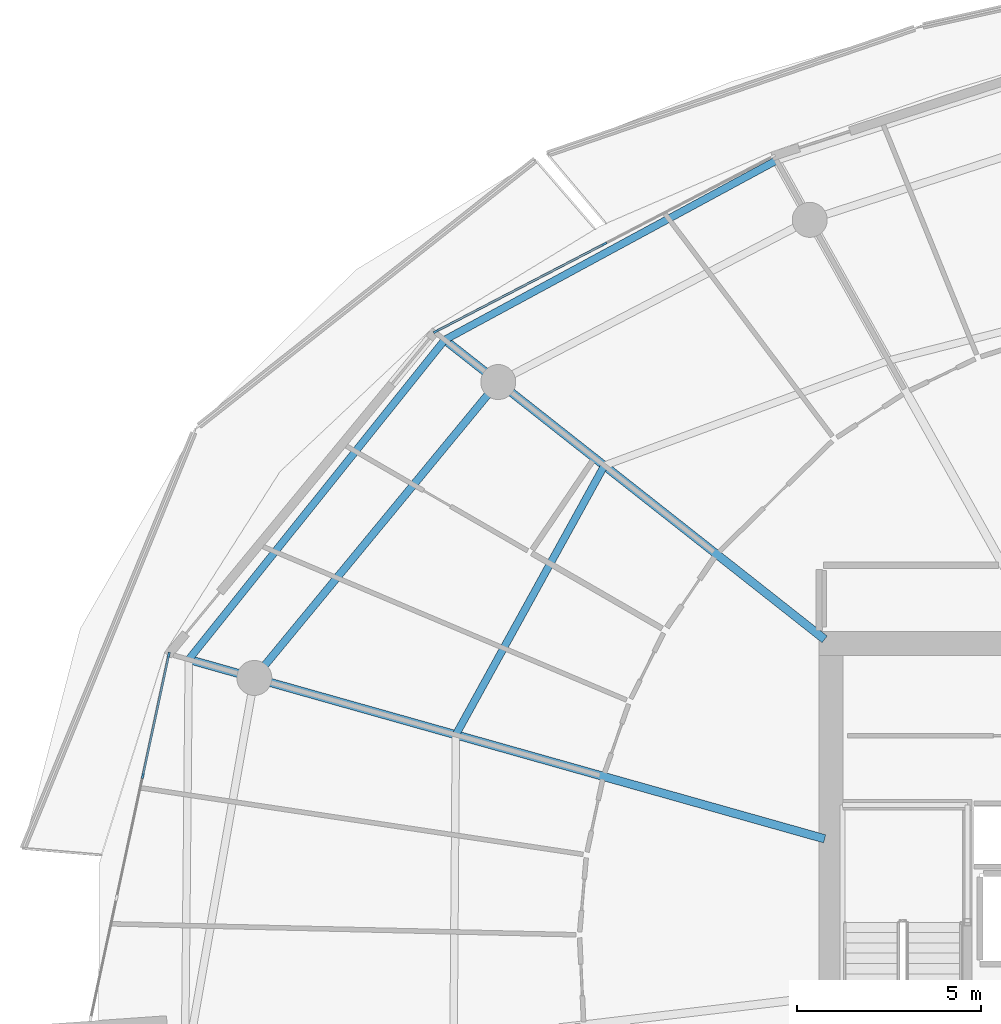
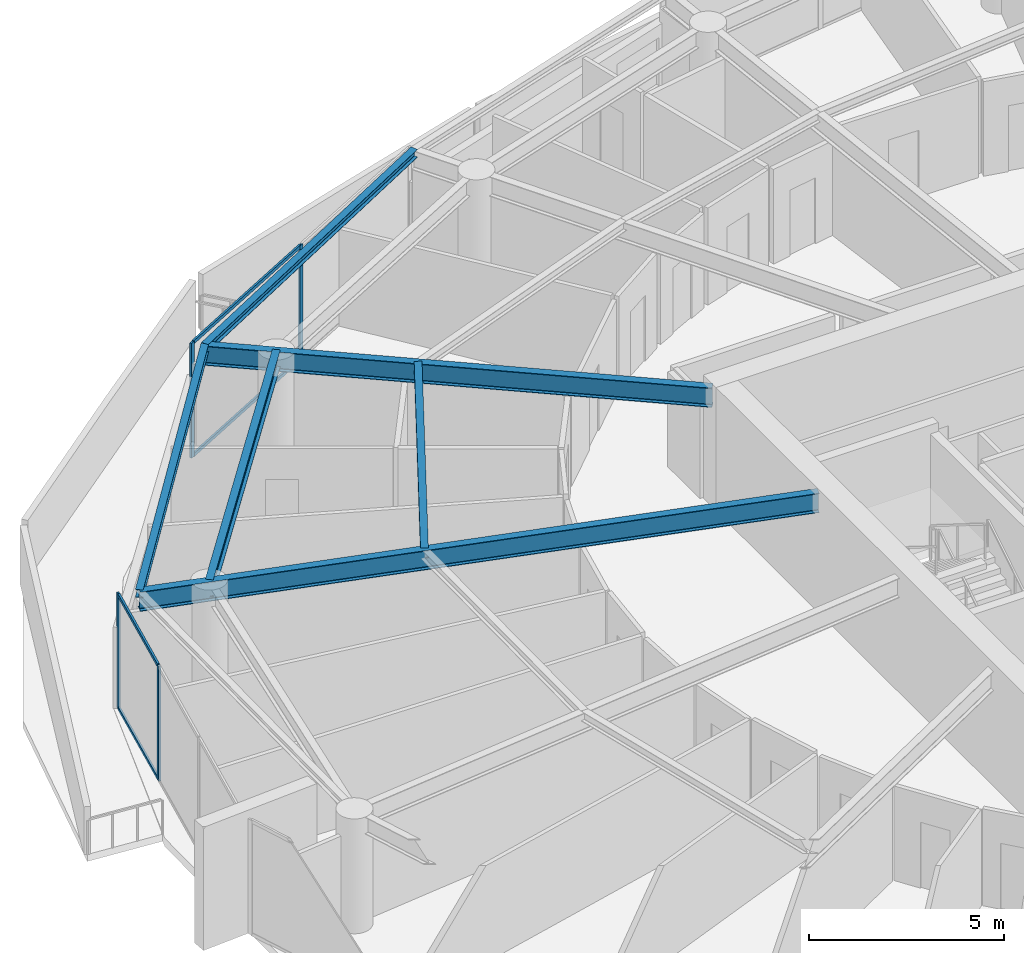
# One storey, part 12 of 30: 8 members, 6 beams, 2 elements without a shape of their own.
"""IFC4 building model written with IfcOpenShell, lengths in metres."""

from ifc_helpers import new_model, si_unit, direction, frame, origin, origin_2d, place, context, subcontext, project, spatial, rectangle, i_section, extrude, material, layer, layer_set, material_profile, profile_set, type_object, element, aggregate, save


model = new_model("IFC4")

# Units and contexts
model_context = context("Model", 3, precision=1e-05, world=origin(), true_north=direction((0.0, 1.0)))
body_context = subcontext(model_context, "Body", "Model", "MODEL_VIEW")
ifc_project = project(units=[si_unit("LENGTHUNIT", "METRE"), si_unit("AREAUNIT", "SQUARE_METRE"), si_unit("VOLUMEUNIT", "CUBIC_METRE"), si_unit("PLANEANGLEUNIT", "RADIAN"), si_unit("MASSUNIT", "GRAM", prefix="KILO")], contexts=[model_context])

# Site, building, storey
site_placement = place(None, origin())
site = spatial("IfcSite", under=ifc_project, at=site_placement, CompositionType="ELEMENT")
building_placement = place(site_placement, origin())
building = spatial("IfcBuilding", under=site, at=building_placement, Name="Kazma Halo Residences", CompositionType="ELEMENT")
storey_placement = place(building_placement, frame((0.0, 0.0, 267.5)))
storey = spatial("IfcBuildingStorey", under=building, at=storey_placement, Name="L67", CompositionType="ELEMENT", Elevation=267.5)

# Beams
ifc_material_1 = material(Name="Steel S355", Category="steel")
ifc_material_profile_1 = material_profile(ifc_material_1, i_section(OverallWidth=0.201904296875, OverallDepth=0.2470703125, WebThickness=0.00732421875, FlangeThickness=0.010986328125, FilletRadius=0.011962890625, at=origin_2d()), Name="W250x49.1")
ifc_profile_set_1 = profile_set([ifc_material_profile_1], Name="Steel S355")
beam_type_1 = type_object("IfcBeamType", Name="BM-BAL-CANT", PredefinedType="BEAM", material=ifc_profile_set_1)
beam_1_placement = place(storey_placement, frame((35.990478515625, 63.444580078125, 3.466552734375), z_axis=(-0.879517282036, -0.475866946321, 0.0), x_axis=(0.475866946321, -0.879517282036, 0.0)))
element("IfcBeam", 1, at=beam_1_placement, inside=storey, type_object=beam_type_1, Name="L67 wave-balcony tie beam 05", PredefinedType="BEAM", context=body_context, shape_type="SweptSolid", body=[
    extrude(i_section(OverallWidth=0.201904296875, OverallDepth=0.2470703125, WebThickness=0.00732421875, FlangeThickness=0.010986328125, FilletRadius=0.011962890625, at=origin_2d()), origin(), (0.0, 0.0, 1.0), 10.243408203125),
])
beam_2_placement = place(storey_placement, frame((26.981201171875, 58.570068359375, 3.466552734375), z_axis=(-0.625117912406, -0.780530329705, 0.0), x_axis=(0.780530329705, -0.625117912406, 0.0)))
element("IfcBeam", 2, at=beam_2_placement, inside=storey, type_object=beam_type_1, Name="L67 wave-balcony tie beam 06", PredefinedType="BEAM", context=body_context, shape_type="SweptSolid", body=[
    extrude(i_section(OverallWidth=0.201904296875, OverallDepth=0.2470703125, WebThickness=0.00732421875, FlangeThickness=0.010986328125, FilletRadius=0.011962890625, at=origin_2d()), origin(), (0.0, 0.0, 1.0), 11.1220703125),
])
ifc_material_profile_2 = material_profile(ifc_material_1, i_section(OverallWidth=0.22802734375, OverallDepth=0.60791015625, WebThickness=0.01123046875, FlangeThickness=0.017333984375, FilletRadius=0.01806640625, at=origin_2d()), Name="W610x113")
ifc_profile_set_2 = profile_set([ifc_material_profile_2], Name="Steel S355")
beam_type_2 = type_object("IfcBeamType", Name="BM-RAD-W610", PredefinedType="BEAM", material=ifc_profile_set_2)
beam_3_placement = place(storey_placement, frame((37.300048828125, 50.435302734375, 3.285888671875), z_axis=(-0.785315374811, 0.61909592317, 0.0), x_axis=(-0.61909592317, -0.785315374811, 0.0)))
element("IfcBeam", 3, at=beam_3_placement, inside=storey, type_object=beam_type_2, Name="L67 radial floor beam 06", PredefinedType="BEAM", context=body_context, shape_type="SweptSolid", body=[
    extrude(i_section(OverallWidth=0.22802734375, OverallDepth=0.60791015625, WebThickness=0.01123046875, FlangeThickness=0.017333984375, FilletRadius=0.01806640625, at=origin_2d()), origin(), (0.0, 0.0, 1.0), 13.1396484375),
])
beam_4_placement = place(storey_placement, frame((37.300048828125, 45.017578125, 3.285888671875), z_axis=(-0.962451225349, 0.271454671766, 0.0), x_axis=(-0.271454671766, -0.962451225349, 0.0)))
element("IfcBeam", 4, at=beam_4_placement, inside=storey, type_object=beam_type_2, Name="L67 radial floor beam 07", PredefinedType="BEAM", context=body_context, shape_type="SweptSolid", body=[
    extrude(i_section(OverallWidth=0.22802734375, OverallDepth=0.60791015625, WebThickness=0.01123046875, FlangeThickness=0.017333984375, FilletRadius=0.01806640625, at=origin_2d()), origin(), (0.0, 0.0, 1.0), 17.9453125),
])
ifc_material_profile_3 = material_profile(ifc_material_1, i_section(OverallWidth=0.202880859375, OverallDepth=0.302978515625, WebThickness=0.007568359375, FlangeThickness=0.01318359375, FilletRadius=0.013916015625, at=origin_2d()), Name="W310x60")
ifc_profile_set_3 = profile_set([ifc_material_profile_3], Name="Steel S355")
beam_type_3 = type_object("IfcBeamType", Name="BM-SEC-W310A", PredefinedType="JOIST", material=ifc_profile_set_3)
beam_5_placement = place(storey_placement, frame((31.31494140625, 55.1533203125, 3.4384765625), z_axis=(-0.483003900912, -0.875618199733, 0.0), x_axis=(0.875618199733, -0.483003900912, 0.0)))
element("IfcBeam", 5, at=beam_5_placement, inside=storey, type_object=beam_type_3, Name="L67 circumferential floor joist 06", PredefinedType="JOIST", context=body_context, shape_type="SweptSolid", body=[
    extrude(i_section(OverallWidth=0.202880859375, OverallDepth=0.302978515625, WebThickness=0.007568359375, FlangeThickness=0.01318359375, FilletRadius=0.013916015625, at=origin_2d()), origin(), (0.0, 0.0, 1.0), 8.3486328125),
])
ifc_material_profile_4 = material_profile(ifc_material_1, i_section(OverallWidth=0.208984375, OverallDepth=0.532958984375, WebThickness=0.01025390625, FlangeThickness=0.015625, FilletRadius=0.01611328125, at=origin_2d()), Name="W530x92")
ifc_profile_set_4 = profile_set([ifc_material_profile_4], Name="Steel S355")
beam_type_4 = type_object("IfcBeamType", Name="BM-SPN-W530", PredefinedType="BEAM", material=ifc_profile_set_4)
beam_6_placement = place(storey_placement, frame((28.433837890625, 57.4248046875, 3.323486328125), z_axis=(-0.636002144225, -0.771687289348, 0.0), x_axis=(0.771687289348, -0.636002144225, 0.0)))
element("IfcBeam", 6, at=beam_6_placement, inside=storey, type_object=beam_type_4, Name="L67 perimeter ring beam 06", PredefinedType="BEAM", context=body_context, shape_type="SweptSolid", body=[
    extrude(i_section(OverallWidth=0.208984375, OverallDepth=0.532958984375, WebThickness=0.01025390625, FlangeThickness=0.015625, FilletRadius=0.01611328125, at=origin_2d()), origin(), (0.0, 0.0, 1.0), 10.416259765625),
])

# Curtain wall, members
ifc_material_2 = material(Name="Aluminium AW-6063 T6 and Triple-Silver Low-E Glass", Category="aluminium")
ifc_layer = layer(ifc_material_2, 0.139892578125)
ifc_layer_set = layer_set([ifc_layer], Name="Aluminium AW-6063 T6 and Triple-Silver Low-E Glass")
curtain_wall_type = type_object("IfcCurtainWallType", Name="CW-SYS-5", PredefinedType="NOTDEFINED", material=ifc_layer_set)
curtain_wall_1_placement = place(storey_placement, origin())
curtain_wall_1 = element("IfcCurtainWall", 7, at=curtain_wall_1_placement, inside=storey, type_object=curtain_wall_type, Name="L67 unitised curtain wall B05", PredefinedType="NOTDEFINED")
ifc_material_3 = material(Name="Aluminium AW-6063 T6", Category="aluminium")
ifc_material_profile_5 = material_profile(ifc_material_3, rectangle(XDim=0.06005859375, YDim=0.139892578125, at=origin_2d()), Name="CWM-60x140")
ifc_profile_set_5 = profile_set([ifc_material_profile_5], Name="Aluminium AW-6063 T6")
member_type_1 = type_object("IfcMemberType", Name="CW-SYS-5-MUL", PredefinedType="MULLION", material=ifc_profile_set_5)
member_1_placement = place(storey_placement, frame((31.31591796875, 61.175537109375, 0.0), z_axis=(0.0, 0.0, 1.0), x_axis=(0.460960760804, -0.887420518694, 0.0)))
member_1 = element("IfcMember", 8, at=member_1_placement, type_object=member_type_1, Name="CWS-5 mullion 2", PredefinedType="MULLION", context=body_context, shape_type="SweptSolid", body=[
    extrude(rectangle(XDim=0.06005859375, YDim=0.139892578125, at=origin_2d()), origin(), (0.0, 0.0, 1.0), 3.590087890625),
])
member_2_placement = place(storey_placement, frame((26.737060546875, 58.797119140625, 0.0), z_axis=(0.0, 0.0, 1.0), x_axis=(0.460960760804, -0.887420518694, 0.0)))
member_2 = element("IfcMember", 9, at=member_2_placement, type_object=member_type_1, Name="CWS-5 mullion 3", PredefinedType="MULLION", context=body_context, shape_type="SweptSolid", body=[
    extrude(rectangle(XDim=0.06005859375, YDim=0.139892578125, at=origin_2d()), origin(), (0.0, 0.0, 1.0), 3.590087890625),
])

curtain_wall_2_placement = place(storey_placement, origin())
curtain_wall_2 = element("IfcCurtainWall", 10, at=curtain_wall_2_placement, inside=storey, type_object=curtain_wall_type, Name="L67 unitised curtain wall B07", PredefinedType="NOTDEFINED")
member_3_placement = place(storey_placement, frame((19.485107421875, 50.010986328125, 0.0), z_axis=(0.0, 0.0, 1.0), x_axis=(0.97777491373, -0.209657382603, 0.0)))
member_3 = element("IfcMember", 11, at=member_3_placement, type_object=member_type_1, Name="CWS-5 mullion 1", PredefinedType="MULLION", context=body_context, shape_type="SweptSolid", body=[
    extrude(rectangle(XDim=0.06005859375, YDim=0.139892578125, at=origin_2d()), origin(), (0.0, 0.0, 1.0), 3.590087890625),
])
member_4_placement = place(storey_placement, frame((18.781005859375, 46.7265625, 0.0), z_axis=(0.0, 0.0, 1.0), x_axis=(0.97777491373, -0.209657382603, 0.0)))
member_4 = element("IfcMember", 12, at=member_4_placement, type_object=member_type_1, Name="CWS-5 mullion 2", PredefinedType="MULLION", context=body_context, shape_type="SweptSolid", body=[
    extrude(rectangle(XDim=0.06005859375, YDim=0.139892578125, at=origin_2d()), origin(), (0.0, 0.0, 1.0), 3.590087890625),
])

# Member
ifc_material_profile_6 = material_profile(ifc_material_3, rectangle(XDim=0.06005859375, YDim=0.10498046875, at=origin_2d()), Name="CWT-60x105")
ifc_profile_set_6 = profile_set([ifc_material_profile_6], Name="Aluminium AW-6063 T6")
member_type_2 = type_object("IfcMemberType", Name="CW-SYS-5-TRN", PredefinedType="USERDEFINED", material=ifc_profile_set_6)
member_5_placement = place(storey_placement, frame((31.289306640625, 61.16162109375, 0.030029296875), z_axis=(-0.887436955863, -0.46092911534, 0.0), x_axis=(0.46092911534, -0.887436955863, 0.0)))
member_5 = element("IfcMember", 13, at=member_5_placement, type_object=member_type_2, Name="CWS-5 transom 2.1", ObjectType="TRANSOM", PredefinedType="USERDEFINED", context=body_context, shape_type="SweptSolid", body=[
    extrude(rectangle(XDim=0.06005859375, YDim=0.10498046875, at=origin_2d()), origin(), (0.0, 0.0, 1.0), 5.099609375),
])

member_6_placement = place(storey_placement, frame((31.289306640625, 61.16162109375, 3.56005859375), z_axis=(-0.887436955863, -0.46092911534, 0.0), x_axis=(0.46092911534, -0.887436955863, 0.0)))
member_6 = element("IfcMember", 14, at=member_6_placement, type_object=member_type_2, Name="CWS-5 transom 2.2", ObjectType="TRANSOM", PredefinedType="USERDEFINED", context=body_context, shape_type="SweptSolid", body=[
    extrude(rectangle(XDim=0.06005859375, YDim=0.10498046875, at=origin_2d()), origin(), (0.0, 0.0, 1.0), 5.099609375),
])

aggregate(curtain_wall_1, [member_1, member_2, member_5, member_6])

member_7_placement = place(storey_placement, frame((19.47900390625, 49.9814453125, 0.030029296875), z_axis=(-0.209660493552, -0.977774246666, 0.0), x_axis=(0.977774246666, -0.209660493552, 0.0)))
member_7 = element("IfcMember", 15, at=member_7_placement, type_object=member_type_2, Name="CWS-5 transom 1.1", ObjectType="TRANSOM", PredefinedType="USERDEFINED", context=body_context, shape_type="SweptSolid", body=[
    extrude(rectangle(XDim=0.06005859375, YDim=0.10498046875, at=origin_2d()), origin(), (0.0, 0.0, 1.0), 3.298828125),
])

member_8_placement = place(storey_placement, frame((19.47900390625, 49.9814453125, 3.56005859375), z_axis=(-0.209660493552, -0.977774246666, 0.0), x_axis=(0.977774246666, -0.209660493552, 0.0)))
member_8 = element("IfcMember", 16, at=member_8_placement, type_object=member_type_2, Name="CWS-5 transom 1.2", ObjectType="TRANSOM", PredefinedType="USERDEFINED", context=body_context, shape_type="SweptSolid", body=[
    extrude(rectangle(XDim=0.06005859375, YDim=0.10498046875, at=origin_2d()), origin(), (0.0, 0.0, 1.0), 3.298828125),
])

aggregate(curtain_wall_2, [member_3, member_4, member_7, member_8])

save(model, "model.ifc")
